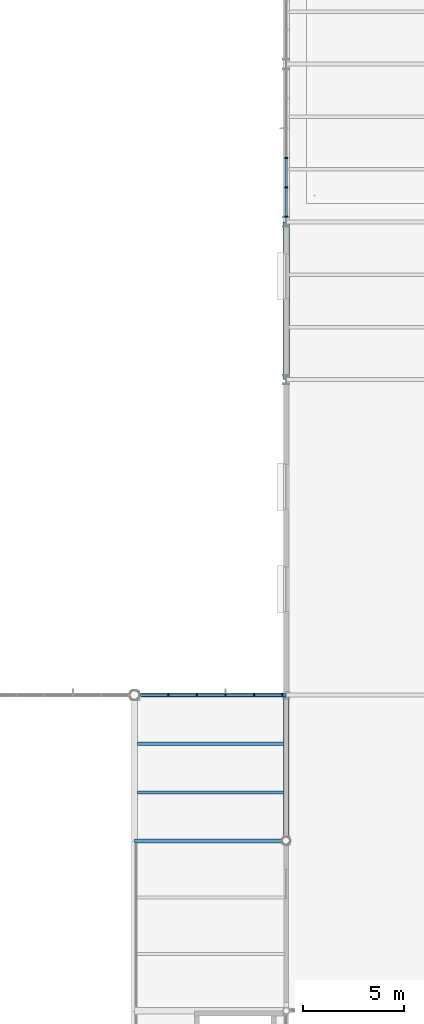
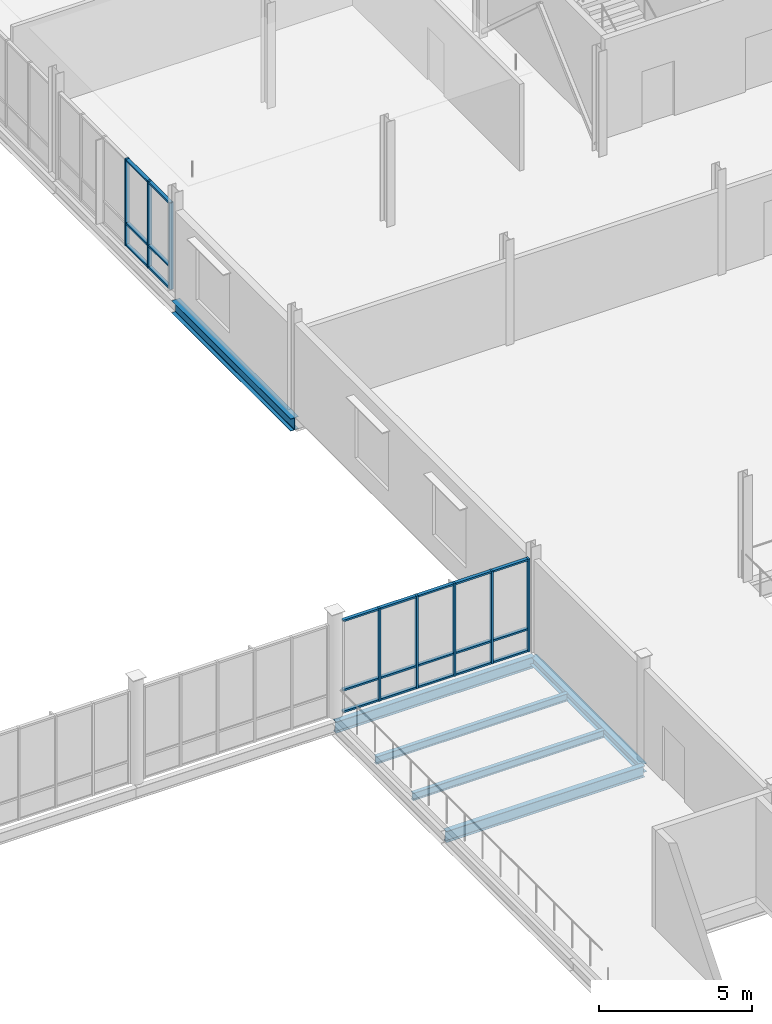
# One storey, part 24 of 75: 29 members, 6 beams, 2 elements without a shape of their own.
"""IFC4 building model written with IfcOpenShell, lengths in metres."""

import ifcopenshell
import ifcopenshell.guid

model = None  # the IFC model being written
_history = None  # IfcOwnerHistory: only IFC2X3 demands one
_inside = {}  # id of a spatial element -> (the spatial element, [elements in it])
_under = {}  # id of a project, library or spatial element -> (it, [spatial elements below it])
_declared = {}  # id of a project -> (the project, [libraries it declares])
_typed = {}  # id of a type object -> (the type object, [elements of that type])
_made_of = {}  # id of a material, layer set ... -> (it, [elements and type objects made of it])


def new_model(schema):
    """Start an empty IFC model of exactly this schema.

    Asked for "IFC4X3", IfcOpenShell would pick the latest addendum, in which some entities
    have other attributes; the version numbers below select the first issue.
    IFC2X3 requires an IfcOwnerHistory on every rooted entity: one is made here for all.
    """
    global model, _history
    if schema == "IFC4X3":
        model = ifcopenshell.file(schema_version=(4, 3, 0, 0))
    else:
        model = ifcopenshell.file(schema=schema)
    _inside.clear()
    _under.clear()
    _declared.clear()
    _typed.clear()
    _made_of.clear()
    _history = None
    if model.schema == "IFC2X3":
        org = make("IfcOrganization", Name="unknown")
        user = make(
            "IfcPersonAndOrganization",
            ThePerson=make("IfcPerson", FamilyName="unknown"),
            TheOrganization=org,
        )
        app = make(
            "IfcApplication",
            ApplicationDeveloper=org,
            Version="unknown",
            ApplicationFullName="unknown",
            ApplicationIdentifier="unknown",
        )
        _history = make(
            "IfcOwnerHistory",
            OwningUser=user,
            OwningApplication=app,
            ChangeAction="ADDED",
            CreationDate=0,
        )
    return model


def make(cls, **values):
    """One entity of the class cls with the attributes given. An attribute that is None is left unset."""
    return model.create_entity(
        cls, **{name: value for name, value in values.items() if value is not None}
    )


def rooted(cls, **values):
    """An entity with a GlobalId (a new one), such as an element, a storey or a relation."""
    return make(cls, GlobalId=ifcopenshell.guid.new(), OwnerHistory=_history, **values)


def si_unit(unit_type, name, prefix=None):
    """IfcSIUnit, for example si_unit("LENGTHUNIT", "METRE", prefix="MILLI")."""
    return make("IfcSIUnit", UnitType=unit_type, Prefix=prefix, Name=name)


def assignment(units):
    """IfcUnitAssignment: the units of a project."""
    return None if units is None else make("IfcUnitAssignment", Units=units)


def point(xyz):
    """IfcCartesianPoint."""
    return None if xyz is None else make("IfcCartesianPoint", Coordinates=xyz)


def direction(xyz):
    """IfcDirection."""
    return None if xyz is None else make("IfcDirection", DirectionRatios=xyz)


def frame(location, z_axis=None, x_axis=None):
    """IfcAxis2Placement3D, a coordinate frame: its origin and axes. An axis left out is left unset."""
    return make(
        "IfcAxis2Placement3D",
        Location=point(location),
        Axis=direction(z_axis),
        RefDirection=direction(x_axis),
    )


def frame_2d(location, x_axis=None):
    """IfcAxis2Placement2D, a coordinate frame in the plane: its origin and x axis."""
    return make(
        "IfcAxis2Placement2D", Location=point(location), RefDirection=direction(x_axis)
    )


def origin():
    """The frame at (0, 0, 0) with its axes left unset."""
    return frame((0.0, 0.0, 0.0))


def origin_2d():
    """The frame at (0, 0) in the plane with its x axis left unset."""
    return frame_2d((0.0, 0.0))


def place(relative_to, where):
    """IfcLocalPlacement: puts the frame where relative to a parent placement (None: the world)."""
    return make(
        "IfcLocalPlacement", PlacementRelTo=relative_to, RelativePlacement=where
    )


def context(
    kind, dimensions, precision=None, world=None, true_north=None, identifier=None
):
    """IfcGeometricRepresentationContext, for example the 3D "Model" context."""
    return make(
        "IfcGeometricRepresentationContext",
        ContextIdentifier=identifier,
        ContextType=kind,
        CoordinateSpaceDimension=dimensions,
        Precision=precision,
        WorldCoordinateSystem=world,
        TrueNorth=true_north,
    )


def subcontext(parent, identifier, kind, view, scale=None):
    """IfcGeometricRepresentationSubContext, for example "Body" below "Model"."""
    return make(
        "IfcGeometricRepresentationSubContext",
        ContextIdentifier=identifier,
        ContextType=kind,
        ParentContext=parent,
        TargetScale=scale,
        TargetView=view,
    )


def project(units=None, contexts=None):
    """IfcProject with its units and contexts."""
    return rooted(
        "IfcProject",
        Name="project",
        RepresentationContexts=contexts,
        UnitsInContext=assignment(units),
    )


def spatial(cls, under=None, at=None, **own):
    """A site, building, storey or space (cls), placed at a placement, below another one or the project."""
    s = rooted(cls, ObjectPlacement=at, **own)
    if under is not None:
        _under.setdefault(under.id(), (under, []))[1].append(s)
    return s


def profile(cls, at=None, kind="AREA", **sizes):
    """A parametric profile (cls). Its sizes go by their IFC names, for example OverallWidth=200.0."""
    return make(cls, ProfileType=kind, Position=at, **sizes)


def rectangle(**sizes):
    """IfcRectangleProfileDef."""
    return profile("IfcRectangleProfileDef", **sizes)


def i_section(**sizes):
    """IfcIShapeProfileDef."""
    return profile("IfcIShapeProfileDef", **sizes)


def extrude(swept, where, along, depth):
    """IfcExtrudedAreaSolid: the profile swept, set in the frame where, extruded along a direction by depth."""
    return make(
        "IfcExtrudedAreaSolid",
        SweptArea=swept,
        Position=where,
        ExtrudedDirection=direction(along),
        Depth=depth,
    )


def shape(context_of_items, identifier, shape_type, items):
    """IfcShapeRepresentation: the items that make up one representation, for example the "Body"."""
    return make(
        "IfcShapeRepresentation",
        ContextOfItems=context_of_items,
        RepresentationIdentifier=identifier,
        RepresentationType=shape_type,
        Items=items,
    )


def material(Name=None, Category=None):
    """IfcMaterial."""
    return make("IfcMaterial", Name=Name, Category=Category)


def layer(
    of_material, thickness, ventilated=None, Name=None, Category=None, Priority=None
):
    """IfcMaterialLayer: one layer of a wall or slab, of a material (None: an air gap)."""
    return make(
        "IfcMaterialLayer",
        Material=of_material,
        LayerThickness=thickness,
        IsVentilated=ventilated,
        Name=Name,
        Category=Category,
        Priority=Priority,
    )


def layer_set(layers, Name=None):
    """IfcMaterialLayerSet."""
    return make("IfcMaterialLayerSet", MaterialLayers=layers, LayerSetName=Name)


def material_profile(
    of_material, cross_section, Name=None, Category=None, Priority=None
):
    """IfcMaterialProfile: a cross section and its material."""
    return make(
        "IfcMaterialProfile",
        Name=Name,
        Material=of_material,
        Profile=cross_section,
        Priority=Priority,
        Category=Category,
    )


def profile_set(profiles, Name=None, composite=None):
    """IfcMaterialProfileSet."""
    return make(
        "IfcMaterialProfileSet",
        Name=Name,
        MaterialProfiles=profiles,
        CompositeProfile=composite,
    )


def made_of(thing, what):
    """Note that an element or type object is made of a material, layer set ...; save() writes the relation."""
    if what is not None:
        _made_of.setdefault(what.id(), (what, []))[1].append(thing)
    return thing


def type_object(cls, material=None, **own):
    """A type object (cls), such as IfcWallType, which elements share."""
    return made_of(rooted(cls, **own), material)


def element(
    cls,
    number,
    at=None,
    inside=None,
    cuts=None,
    type_object=None,
    material=None,
    context=None,
    identifier="Body",
    shape_type=None,
    held_by="IfcProductDefinitionShape",
    body=None,
    shapes=None,
    **own,
):
    """One element of the class cls, such as IfcWall. Its Tag is "e" and its number.

    at: its placement. inside: the storey or other place that contains it. cuts: it is an
    opening in that element (IfcRelVoidsElement). A single representation is given by context,
    identifier, shape_type and body (its items); several are given by shapes. held_by: the class
    of the entity that holds the representations. save() writes the other relations.
    """
    e = rooted(cls, Tag="e%d" % number, ObjectPlacement=at, **own)
    if body is not None:
        shapes = [shape(context, identifier, shape_type, body)]
    if shapes is not None:
        e.Representation = make(held_by, Representations=shapes)
    if inside is not None:
        _inside.setdefault(inside.id(), (inside, []))[1].append(e)
    if cuts is not None:
        rooted(
            "IfcRelVoidsElement", RelatingBuildingElement=cuts, RelatedOpeningElement=e
        )
    if type_object is not None:
        _typed.setdefault(type_object.id(), (type_object, []))[1].append(e)
    return made_of(e, material)


def aggregate(whole, parts):
    """IfcRelAggregates: a whole, such as a stair, and the parts it consists of."""
    return rooted("IfcRelAggregates", RelatingObject=whole, RelatedObjects=parts)


def save(model, path):
    """Write the relations noted so far, then the file.

    IfcRelAggregates (storeys below a building ...), IfcRelContainedInSpatialStructure (elements
    in a storey), IfcRelDefinesByType, IfcRelAssociatesMaterial and IfcRelDeclares: one each for
    every whole, place, type object, material and project.
    """
    for whole, parts in _under.values():
        aggregate(whole, parts)
    for where, things in _inside.values():
        rooted(
            "IfcRelContainedInSpatialStructure",
            RelatedElements=things,
            RelatingStructure=where,
        )
    for kind, things in _typed.values():
        rooted("IfcRelDefinesByType", RelatedObjects=things, RelatingType=kind)
    for what, things in _made_of.values():
        rooted("IfcRelAssociatesMaterial", RelatedObjects=things, RelatingMaterial=what)
    for by, libraries in _declared.values():
        rooted("IfcRelDeclares", RelatingContext=by, RelatedDefinitions=libraries)
    model.write(path)


model = new_model("IFC4")

# Units and contexts
model_context = context("Model", 3, precision=1e-05, world=origin(), true_north=direction((0.0, 1.0)))
body_context = subcontext(model_context, "Body", "Model", "MODEL_VIEW")
ifc_project = project(units=[si_unit("LENGTHUNIT", "METRE"), si_unit("AREAUNIT", "SQUARE_METRE"), si_unit("VOLUMEUNIT", "CUBIC_METRE"), si_unit("PLANEANGLEUNIT", "RADIAN"), si_unit("MASSUNIT", "GRAM", prefix="KILO")], contexts=[model_context])

# Site, building, storey
site_placement = place(None, origin())
site = spatial("IfcSite", under=ifc_project, at=site_placement, CompositionType="ELEMENT")
building_placement = place(site_placement, origin())
building = spatial("IfcBuilding", under=site, at=building_placement, Name="Yukiwa Park Conservatory and Herbarium", CompositionType="ELEMENT")
storey_placement = place(building_placement, frame((0.0, 0.0, 4.800048828125)))
storey = spatial("IfcBuildingStorey", under=building, at=storey_placement, Name="L01", CompositionType="ELEMENT", Elevation=4.800048828125)

# Beams
ifc_material_1 = material(Name="Steel Q355D", Category="steel")
ifc_material_profile_1 = material_profile(ifc_material_1, i_section(OverallWidth=0.25, OverallDepth=0.340087890625, WebThickness=0.009033203125, FlangeThickness=0.013916015625, FilletRadius=0.02001953125, at=origin_2d()), Name="HM 340x250x9x14")
ifc_profile_set_1 = profile_set([ifc_material_profile_1], Name="Steel Q355D")
beam_type_1 = type_object("IfcBeamType", Name="BM-GRD-HM340", PredefinedType="BEAM", material=ifc_profile_set_1)
beam_1_placement = place(storey_placement, frame((60.0, 24.006103515625, -0.41015625), z_axis=(0.0, 1.0, 0.0), x_axis=(-1.0, 0.0, 0.0)))
element("IfcBeam", 1, at=beam_1_placement, inside=storey, type_object=beam_type_1, Name="L01 grid girder Y-118", PredefinedType="BEAM", context=body_context, shape_type="SweptSolid", body=[
    extrude(i_section(OverallWidth=0.25, OverallDepth=0.340087890625, WebThickness=0.009033203125, FlangeThickness=0.013916015625, FilletRadius=0.02001953125, at=origin_2d()), origin(), (0.0, 0.0, 1.0), 7.18798828125),
])
ifc_material_2 = material(Name="Steel Q355D", Category="steel")
ifc_material_profile_2 = material_profile(ifc_material_2, i_section(OverallWidth=0.199951171875, OverallDepth=0.449951171875, WebThickness=0.009033203125, FlangeThickness=0.013916015625, FilletRadius=0.01806640625, at=origin_2d()), Name="HN 450x200x9x14")
ifc_profile_set_2 = profile_set([ifc_material_profile_2], Name="Steel Q355D")
beam_type_2 = type_object("IfcBeamType", Name="BM-GRD-HN450", PredefinedType="BEAM", material=ifc_profile_set_2)
for number, where, z_axis, x_axis, name in (
    (2, (52.506103515625, 24.0, -0.465087890625), (1.0, 0.0, 0.0), (0.0, 1.0, 0.0), "L01 grid beam X-17"),
    (3, (52.506103515625, 31.199951171875, -0.465087890625), (1.0, 0.0, 0.0), (0.0, 1.0, 0.0), "L01 grid beam X-25"),
):
    element("IfcBeam", number, at=place(storey_placement, frame(where, z_axis=z_axis, x_axis=x_axis)), inside=storey, type_object=beam_type_2, Name=name, PredefinedType="BEAM", context=body_context, shape_type="SweptSolid", body=[
        extrude(i_section(OverallWidth=0.199951171875, OverallDepth=0.449951171875, WebThickness=0.009033203125, FlangeThickness=0.013916015625, FilletRadius=0.01806640625, at=origin_2d()), origin(), (0.0, 0.0, 1.0), 7.48779296875),
    ])
ifc_material_3 = material(Name="Steel Q355D", Category="steel")
ifc_material_profile_3 = material_profile(ifc_material_3, i_section(OverallWidth=0.14990234375, OverallDepth=0.300048828125, WebThickness=0.006591796875, FlangeThickness=0.009033203125, FilletRadius=0.012939453125, at=origin_2d()), Name="HN 300x150x6.5x9")
ifc_profile_set_3 = profile_set([ifc_material_profile_3], Name="Steel Q355D")
beam_type_3 = type_object("IfcBeamType", Name="BM-JST-HN300", PredefinedType="JOIST", material=ifc_profile_set_3)
for number, where, z_axis, x_axis, name in (
    (4, (52.64599609375, 26.39990234375, -0.39013671875), (1.0, 0.0, 0.0), (0.0, 1.0, 0.0), "L01 composite floor joist 5"),
    (5, (52.64599609375, 28.800048828125, -0.39013671875), (1.0, 0.0, 0.0), (0.0, 1.0, 0.0), "L01 composite floor joist 6"),
):
    element("IfcBeam", number, at=place(storey_placement, frame(where, z_axis=z_axis, x_axis=x_axis)), inside=storey, type_object=beam_type_3, Name=name, PredefinedType="JOIST", context=body_context, shape_type="SweptSolid", body=[
        extrude(i_section(OverallWidth=0.14990234375, OverallDepth=0.300048828125, WebThickness=0.006591796875, FlangeThickness=0.009033203125, FilletRadius=0.012939453125, at=origin_2d()), origin(), (0.0, 0.0, 1.0), 7.23291015625),
    ])
ifc_material_4 = material(Name="Steel Q355D", Category="steel")
ifc_material_profile_4 = material_profile(ifc_material_4, i_section(OverallWidth=0.300048828125, OverallDepth=0.493896484375, WebThickness=0.010986328125, FlangeThickness=0.014892578125, FilletRadius=0.02392578125, at=origin_2d()), Name="HM 494x300x11x15")
ifc_profile_set_4 = profile_set([ifc_material_profile_4], Name="Steel Q355D")
beam_type_4 = type_object("IfcBeamType", Name="BM-SPN-HN450", PredefinedType="SPANDREL", material=ifc_profile_set_4)
beam_2_placement = place(storey_placement, frame((60.0, 46.805908203125, -0.487060546875), z_axis=(0.0, 1.0, 0.0), x_axis=(-1.0, 0.0, 0.0)))
element("IfcBeam", 6, at=beam_2_placement, inside=storey, type_object=beam_type_4, Name="L01 spandrel girder Y-119", PredefinedType="SPANDREL", context=body_context, shape_type="SweptSolid", body=[
    extrude(i_section(OverallWidth=0.300048828125, OverallDepth=0.493896484375, WebThickness=0.010986328125, FlangeThickness=0.014892578125, FilletRadius=0.02392578125, at=origin_2d()), origin(), (0.0, 0.0, 1.0), 7.7880859375),
])

# Curtain wall, members
ifc_material_5 = material(Name="Triple Low-E Insulated Glass", Category="glass")
ifc_layer_1 = layer(ifc_material_5, 0.199951171875)
ifc_layer_set_1 = layer_set([ifc_layer_1], Name="Triple Low-E Insulated Glass")
curtain_wall_type_1 = type_object("IfcCurtainWallType", Name="CW-VISITOR-1600", PredefinedType="NOTDEFINED", material=ifc_layer_set_1)
curtain_wall_1_placement = place(storey_placement, origin())
curtain_wall_1 = element("IfcCurtainWall", 7, at=curtain_wall_1_placement, inside=storey, type_object=curtain_wall_type_1, Name="L01 unitised curtain wall CW-L01-049", PredefinedType="NOTDEFINED")
ifc_material_6 = material(Name="Anodised Aluminium", Category="aluminium")
member_type_1 = type_object("IfcMemberType", Name="MB-CW-MUL-70X150", PredefinedType="MULLION", material=ifc_material_6)
member_1_placement = place(storey_placement, frame((60.0, 57.768798828125, 0.0), z_axis=(0.0, 0.0, 1.0), x_axis=(0.0, -1.0, 0.0)))
member_1 = element("IfcMember", 8, at=member_1_placement, type_object=member_type_1, Name="CW-L01-049 mullion 4", PredefinedType="MULLION", context=body_context, shape_type="SweptSolid", body=[
    extrude(rectangle(XDim=0.070068359375, YDim=0.14990234375, at=origin_2d()), origin(), (0.0, 0.0, 1.0), 3.4609375),
])
member_2_placement = place(storey_placement, frame((60.0, 56.306396484375, 0.0), z_axis=(0.0, 0.0, 1.0), x_axis=(0.0, -1.0, 0.0)))
member_2 = element("IfcMember", 9, at=member_2_placement, type_object=member_type_1, Name="CW-L01-049 mullion 5", PredefinedType="MULLION", context=body_context, shape_type="SweptSolid", body=[
    extrude(rectangle(XDim=0.070068359375, YDim=0.14990234375, at=origin_2d()), origin(), (0.0, 0.0, 1.0), 3.4609375),
])
member_3_placement = place(storey_placement, frame((60.0, 54.87890625, 0.0), z_axis=(0.0, 0.0, 1.0), x_axis=(0.0, -1.0, 0.0)))
member_3 = element("IfcMember", 10, at=member_3_placement, type_object=member_type_1, Name="CW-L01-049 mullion 6", PredefinedType="MULLION", context=body_context, shape_type="SweptSolid", body=[
    extrude(rectangle(XDim=0.070068359375, YDim=0.14990234375, at=origin_2d()), origin(), (0.0, 0.0, 1.0), 3.4609375),
])

ifc_material_7 = material(Name="Triple Low-E Insulated Glass", Category="glass")
ifc_layer_2 = layer(ifc_material_7, 0.152099609375)
ifc_layer_set_2 = layer_set([ifc_layer_2], Name="Triple Low-E Insulated Glass")
curtain_wall_type_2 = type_object("IfcCurtainWallType", Name="CW-CONSERVATORY-1500", PredefinedType="NOTDEFINED", material=ifc_layer_set_2)
curtain_wall_2_placement = place(storey_placement, origin())
curtain_wall_2 = element("IfcCurtainWall", 11, at=curtain_wall_2_placement, inside=storey, type_object=curtain_wall_type_2, Name="L01 unitised curtain wall CW-L01-050", PredefinedType="NOTDEFINED")
member_4_placement = place(storey_placement, frame((59.7900390625, 31.199951171875, 0.0), z_axis=(0.0, 0.0, 1.0), x_axis=(-1.0, 0.0, 0.0)))
member_4 = element("IfcMember", 12, at=member_4_placement, type_object=member_type_1, Name="CW-L01-050 mullion 1", PredefinedType="MULLION", context=body_context, shape_type="SweptSolid", body=[
    extrude(rectangle(XDim=0.070068359375, YDim=0.14990234375, at=origin_2d()), origin(), (0.0, 0.0, 1.0), 3.699951171875),
])
member_5_placement = place(storey_placement, frame((58.410888671875, 31.199951171875, 0.0), z_axis=(0.0, 0.0, 1.0), x_axis=(-1.0, 0.0, 0.0)))
member_5 = element("IfcMember", 13, at=member_5_placement, type_object=member_type_1, Name="CW-L01-050 mullion 2", PredefinedType="MULLION", context=body_context, shape_type="SweptSolid", body=[
    extrude(rectangle(XDim=0.070068359375, YDim=0.14990234375, at=origin_2d()), origin(), (0.0, 0.0, 1.0), 3.699951171875),
])
member_6_placement = place(storey_placement, frame((56.99658203125, 31.199951171875, 0.0), z_axis=(0.0, 0.0, 1.0), x_axis=(-1.0, 0.0, 0.0)))
member_6 = element("IfcMember", 14, at=member_6_placement, type_object=member_type_1, Name="CW-L01-050 mullion 3", PredefinedType="MULLION", context=body_context, shape_type="SweptSolid", body=[
    extrude(rectangle(XDim=0.070068359375, YDim=0.14990234375, at=origin_2d()), origin(), (0.0, 0.0, 1.0), 3.699951171875),
])
member_7_placement = place(storey_placement, frame((55.58251953125, 31.199951171875, 0.0), z_axis=(0.0, 0.0, 1.0), x_axis=(-1.0, 0.0, 0.0)))
member_7 = element("IfcMember", 15, at=member_7_placement, type_object=member_type_1, Name="CW-L01-050 mullion 4", PredefinedType="MULLION", context=body_context, shape_type="SweptSolid", body=[
    extrude(rectangle(XDim=0.070068359375, YDim=0.14990234375, at=origin_2d()), origin(), (0.0, 0.0, 1.0), 3.699951171875),
])
member_8_placement = place(storey_placement, frame((54.168212890625, 31.199951171875, 0.0), z_axis=(0.0, 0.0, 1.0), x_axis=(-1.0, 0.0, 0.0)))
member_8 = element("IfcMember", 16, at=member_8_placement, type_object=member_type_1, Name="CW-L01-050 mullion 5", PredefinedType="MULLION", context=body_context, shape_type="SweptSolid", body=[
    extrude(rectangle(XDim=0.070068359375, YDim=0.14990234375, at=origin_2d()), origin(), (0.0, 0.0, 1.0), 3.699951171875),
])

# Member
ifc_material_8 = material(Name="Anodised Aluminium", Category="aluminium")
member_type_2 = type_object("IfcMemberType", Name="MB-CW-TRN-70X130", PredefinedType="USERDEFINED", material=ifc_material_8)
member_9_placement = place(storey_placement, frame((60.0, 57.03759765625, 0.0), z_axis=(0.0, 0.0, 1.0), x_axis=(0.0, -1.0, 0.0)))
member_9 = element("IfcMember", 17, at=member_9_placement, type_object=member_type_2, Name="CW-L01-049 transom 4.1", ObjectType="TRANSOM", PredefinedType="USERDEFINED", context=body_context, shape_type="SweptSolid", body=[
    extrude(rectangle(XDim=1.392333984375, YDim=0.1298828125, at=origin_2d()), origin(), (0.0, 0.0, 1.0), 0.070068359375),
])

member_10_placement = place(storey_placement, frame((60.0, 57.03759765625, 0.86474609375), z_axis=(0.0, 0.0, 1.0), x_axis=(0.0, -1.0, 0.0)))
member_10 = element("IfcMember", 18, at=member_10_placement, type_object=member_type_2, Name="CW-L01-049 transom 4.2", ObjectType="TRANSOM", PredefinedType="USERDEFINED", context=body_context, shape_type="SweptSolid", body=[
    extrude(rectangle(XDim=1.392333984375, YDim=0.1298828125, at=origin_2d()), origin(), (0.0, 0.0, 1.0), 0.070068359375),
])

member_11_placement = place(storey_placement, frame((60.0, 57.03759765625, 3.39111328125), z_axis=(0.0, 0.0, 1.0), x_axis=(0.0, -1.0, 0.0)))
member_11 = element("IfcMember", 19, at=member_11_placement, type_object=member_type_2, Name="CW-L01-049 transom 4.3", ObjectType="TRANSOM", PredefinedType="USERDEFINED", context=body_context, shape_type="SweptSolid", body=[
    extrude(rectangle(XDim=1.392333984375, YDim=0.1298828125, at=origin_2d()), origin(), (0.0, 0.0, 1.0), 0.070068359375),
])

member_12_placement = place(storey_placement, frame((60.0, 55.5751953125, 0.0), z_axis=(0.0, 0.0, 1.0), x_axis=(0.0, -1.0, 0.0)))
member_12 = element("IfcMember", 20, at=member_12_placement, type_object=member_type_2, Name="CW-L01-049 transom 5.1", ObjectType="TRANSOM", PredefinedType="USERDEFINED", context=body_context, shape_type="SweptSolid", body=[
    extrude(rectangle(XDim=1.392333984375, YDim=0.1298828125, at=origin_2d()), origin(), (0.0, 0.0, 1.0), 0.070068359375),
])

member_13_placement = place(storey_placement, frame((60.0, 55.5751953125, 0.86474609375), z_axis=(0.0, 0.0, 1.0), x_axis=(0.0, -1.0, 0.0)))
member_13 = element("IfcMember", 21, at=member_13_placement, type_object=member_type_2, Name="CW-L01-049 transom 5.2", ObjectType="TRANSOM", PredefinedType="USERDEFINED", context=body_context, shape_type="SweptSolid", body=[
    extrude(rectangle(XDim=1.392333984375, YDim=0.1298828125, at=origin_2d()), origin(), (0.0, 0.0, 1.0), 0.070068359375),
])

member_14_placement = place(storey_placement, frame((60.0, 55.5751953125, 3.39111328125), z_axis=(0.0, 0.0, 1.0), x_axis=(0.0, -1.0, 0.0)))
member_14 = element("IfcMember", 22, at=member_14_placement, type_object=member_type_2, Name="CW-L01-049 transom 5.3", ObjectType="TRANSOM", PredefinedType="USERDEFINED", context=body_context, shape_type="SweptSolid", body=[
    extrude(rectangle(XDim=1.392333984375, YDim=0.1298828125, at=origin_2d()), origin(), (0.0, 0.0, 1.0), 0.070068359375),
])

aggregate(curtain_wall_1, [member_1, member_2, member_3, member_9, member_10, member_11, member_12, member_13, member_14])

member_15_placement = place(storey_placement, frame((59.117919921875, 31.199951171875, 0.0), z_axis=(0.0, 0.0, 1.0), x_axis=(-1.0, 0.0, 0.0)))
member_15 = element("IfcMember", 23, at=member_15_placement, type_object=member_type_2, Name="CW-L01-050 transom 1.1", ObjectType="TRANSOM", PredefinedType="USERDEFINED", context=body_context, shape_type="SweptSolid", body=[
    extrude(rectangle(XDim=1.34423828125, YDim=0.1298828125, at=origin_2d()), origin(), (0.0, 0.0, 1.0), 0.070068359375),
])

member_16_placement = place(storey_placement, frame((59.117919921875, 31.199951171875, 0.86474609375), z_axis=(0.0, 0.0, 1.0), x_axis=(-1.0, 0.0, 0.0)))
member_16 = element("IfcMember", 24, at=member_16_placement, type_object=member_type_2, Name="CW-L01-050 transom 1.2", ObjectType="TRANSOM", PredefinedType="USERDEFINED", context=body_context, shape_type="SweptSolid", body=[
    extrude(rectangle(XDim=1.34423828125, YDim=0.1298828125, at=origin_2d()), origin(), (0.0, 0.0, 1.0), 0.070068359375),
])

member_17_placement = place(storey_placement, frame((59.117919921875, 31.199951171875, 3.6298828125), z_axis=(0.0, 0.0, 1.0), x_axis=(-1.0, 0.0, 0.0)))
member_17 = element("IfcMember", 25, at=member_17_placement, type_object=member_type_2, Name="CW-L01-050 transom 1.3", ObjectType="TRANSOM", PredefinedType="USERDEFINED", context=body_context, shape_type="SweptSolid", body=[
    extrude(rectangle(XDim=1.34423828125, YDim=0.1298828125, at=origin_2d()), origin(), (0.0, 0.0, 1.0), 0.070068359375),
])

member_18_placement = place(storey_placement, frame((57.70361328125, 31.199951171875, 0.0), z_axis=(0.0, 0.0, 1.0), x_axis=(-1.0, 0.0, 0.0)))
member_18 = element("IfcMember", 26, at=member_18_placement, type_object=member_type_2, Name="CW-L01-050 transom 2.1", ObjectType="TRANSOM", PredefinedType="USERDEFINED", context=body_context, shape_type="SweptSolid", body=[
    extrude(rectangle(XDim=1.34423828125, YDim=0.1298828125, at=origin_2d()), origin(), (0.0, 0.0, 1.0), 0.070068359375),
])

member_19_placement = place(storey_placement, frame((57.70361328125, 31.199951171875, 0.86474609375), z_axis=(0.0, 0.0, 1.0), x_axis=(-1.0, 0.0, 0.0)))
member_19 = element("IfcMember", 27, at=member_19_placement, type_object=member_type_2, Name="CW-L01-050 transom 2.2", ObjectType="TRANSOM", PredefinedType="USERDEFINED", context=body_context, shape_type="SweptSolid", body=[
    extrude(rectangle(XDim=1.34423828125, YDim=0.1298828125, at=origin_2d()), origin(), (0.0, 0.0, 1.0), 0.070068359375),
])

member_20_placement = place(storey_placement, frame((57.70361328125, 31.199951171875, 3.6298828125), z_axis=(0.0, 0.0, 1.0), x_axis=(-1.0, 0.0, 0.0)))
member_20 = element("IfcMember", 28, at=member_20_placement, type_object=member_type_2, Name="CW-L01-050 transom 2.3", ObjectType="TRANSOM", PredefinedType="USERDEFINED", context=body_context, shape_type="SweptSolid", body=[
    extrude(rectangle(XDim=1.34423828125, YDim=0.1298828125, at=origin_2d()), origin(), (0.0, 0.0, 1.0), 0.070068359375),
])

member_21_placement = place(storey_placement, frame((56.28955078125, 31.199951171875, 0.0), z_axis=(0.0, 0.0, 1.0), x_axis=(-1.0, 0.0, 0.0)))
member_21 = element("IfcMember", 29, at=member_21_placement, type_object=member_type_2, Name="CW-L01-050 transom 3.1", ObjectType="TRANSOM", PredefinedType="USERDEFINED", context=body_context, shape_type="SweptSolid", body=[
    extrude(rectangle(XDim=1.34423828125, YDim=0.1298828125, at=origin_2d()), origin(), (0.0, 0.0, 1.0), 0.070068359375),
])

member_22_placement = place(storey_placement, frame((56.28955078125, 31.199951171875, 0.86474609375), z_axis=(0.0, 0.0, 1.0), x_axis=(-1.0, 0.0, 0.0)))
member_22 = element("IfcMember", 30, at=member_22_placement, type_object=member_type_2, Name="CW-L01-050 transom 3.2", ObjectType="TRANSOM", PredefinedType="USERDEFINED", context=body_context, shape_type="SweptSolid", body=[
    extrude(rectangle(XDim=1.34423828125, YDim=0.1298828125, at=origin_2d()), origin(), (0.0, 0.0, 1.0), 0.070068359375),
])

member_23_placement = place(storey_placement, frame((56.28955078125, 31.199951171875, 3.6298828125), z_axis=(0.0, 0.0, 1.0), x_axis=(-1.0, 0.0, 0.0)))
member_23 = element("IfcMember", 31, at=member_23_placement, type_object=member_type_2, Name="CW-L01-050 transom 3.3", ObjectType="TRANSOM", PredefinedType="USERDEFINED", context=body_context, shape_type="SweptSolid", body=[
    extrude(rectangle(XDim=1.34423828125, YDim=0.1298828125, at=origin_2d()), origin(), (0.0, 0.0, 1.0), 0.070068359375),
])

member_24_placement = place(storey_placement, frame((54.875244140625, 31.199951171875, 0.0), z_axis=(0.0, 0.0, 1.0), x_axis=(-1.0, 0.0, 0.0)))
member_24 = element("IfcMember", 32, at=member_24_placement, type_object=member_type_2, Name="CW-L01-050 transom 4.1", ObjectType="TRANSOM", PredefinedType="USERDEFINED", context=body_context, shape_type="SweptSolid", body=[
    extrude(rectangle(XDim=1.34423828125, YDim=0.1298828125, at=origin_2d()), origin(), (0.0, 0.0, 1.0), 0.070068359375),
])

member_25_placement = place(storey_placement, frame((54.875244140625, 31.199951171875, 0.86474609375), z_axis=(0.0, 0.0, 1.0), x_axis=(-1.0, 0.0, 0.0)))
member_25 = element("IfcMember", 33, at=member_25_placement, type_object=member_type_2, Name="CW-L01-050 transom 4.2", ObjectType="TRANSOM", PredefinedType="USERDEFINED", context=body_context, shape_type="SweptSolid", body=[
    extrude(rectangle(XDim=1.34423828125, YDim=0.1298828125, at=origin_2d()), origin(), (0.0, 0.0, 1.0), 0.070068359375),
])

member_26_placement = place(storey_placement, frame((54.875244140625, 31.199951171875, 3.6298828125), z_axis=(0.0, 0.0, 1.0), x_axis=(-1.0, 0.0, 0.0)))
member_26 = element("IfcMember", 34, at=member_26_placement, type_object=member_type_2, Name="CW-L01-050 transom 4.3", ObjectType="TRANSOM", PredefinedType="USERDEFINED", context=body_context, shape_type="SweptSolid", body=[
    extrude(rectangle(XDim=1.34423828125, YDim=0.1298828125, at=origin_2d()), origin(), (0.0, 0.0, 1.0), 0.070068359375),
])

member_27_placement = place(storey_placement, frame((53.461181640625, 31.199951171875, 0.0), z_axis=(0.0, 0.0, 1.0), x_axis=(-1.0, 0.0, 0.0)))
member_27 = element("IfcMember", 35, at=member_27_placement, type_object=member_type_2, Name="CW-L01-050 transom 5.1", ObjectType="TRANSOM", PredefinedType="USERDEFINED", context=body_context, shape_type="SweptSolid", body=[
    extrude(rectangle(XDim=1.34423828125, YDim=0.1298828125, at=origin_2d()), origin(), (0.0, 0.0, 1.0), 0.070068359375),
])

member_28_placement = place(storey_placement, frame((53.461181640625, 31.199951171875, 0.86474609375), z_axis=(0.0, 0.0, 1.0), x_axis=(-1.0, 0.0, 0.0)))
member_28 = element("IfcMember", 36, at=member_28_placement, type_object=member_type_2, Name="CW-L01-050 transom 5.2", ObjectType="TRANSOM", PredefinedType="USERDEFINED", context=body_context, shape_type="SweptSolid", body=[
    extrude(rectangle(XDim=1.34423828125, YDim=0.1298828125, at=origin_2d()), origin(), (0.0, 0.0, 1.0), 0.070068359375),
])

member_29_placement = place(storey_placement, frame((53.461181640625, 31.199951171875, 3.6298828125), z_axis=(0.0, 0.0, 1.0), x_axis=(-1.0, 0.0, 0.0)))
member_29 = element("IfcMember", 37, at=member_29_placement, type_object=member_type_2, Name="CW-L01-050 transom 5.3", ObjectType="TRANSOM", PredefinedType="USERDEFINED", context=body_context, shape_type="SweptSolid", body=[
    extrude(rectangle(XDim=1.34423828125, YDim=0.1298828125, at=origin_2d()), origin(), (0.0, 0.0, 1.0), 0.070068359375),
])

aggregate(curtain_wall_2, [member_4, member_5, member_6, member_7, member_8, member_15, member_16, member_17, member_18, member_19, member_20, member_21, member_22, member_23, member_24, member_25, member_26, member_27, member_28, member_29])

save(model, "model.ifc")
